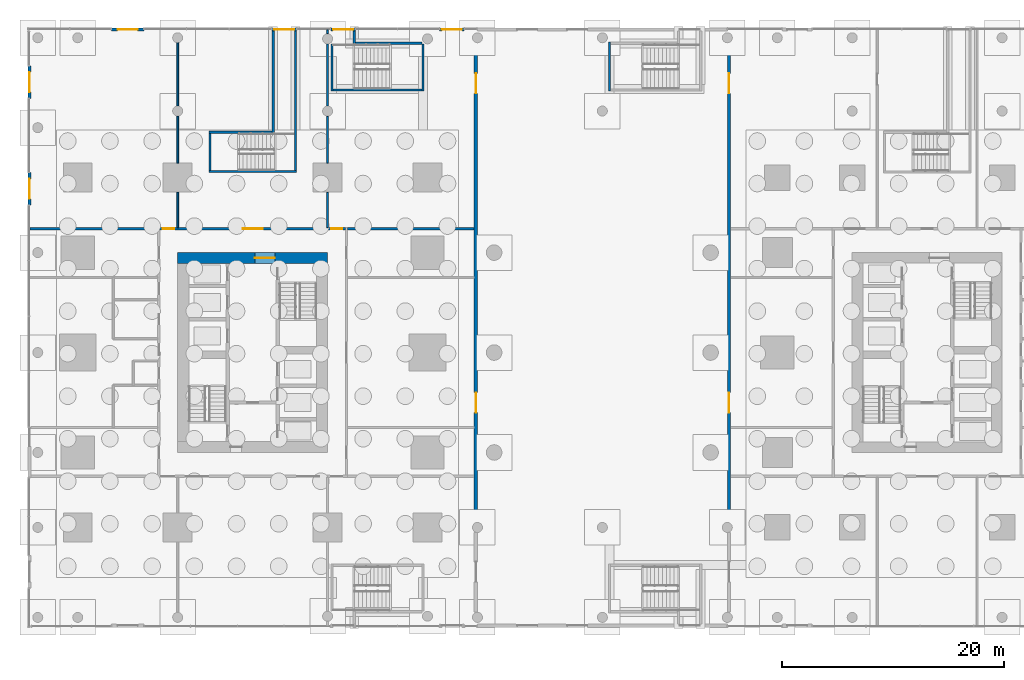
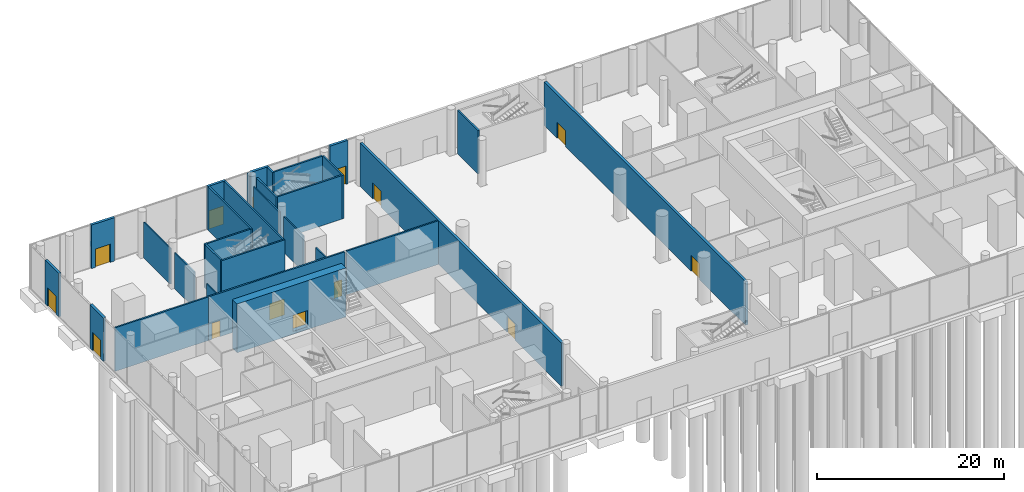
# One storey, part 20 of 31: 30 walls, 14 doors, 14 openings.
"""IFC4 building model written with IfcOpenShell, lengths in metres."""

from ifc_helpers import new_model, si_unit, direction, frame, frame_2d, origin, place, context, subcontext, project, spatial, rectangle, extrude, material, layer, layer_set, type_object, element, fill, save


model = new_model("IFC4")

# Units and contexts
model_context = context("Model", 3, precision=1e-05, world=origin(), true_north=direction((0.0, 1.0)))
body_context = subcontext(model_context, "Body", "Model", "MODEL_VIEW")
ifc_project = project(units=[si_unit("LENGTHUNIT", "METRE"), si_unit("AREAUNIT", "SQUARE_METRE"), si_unit("VOLUMEUNIT", "CUBIC_METRE"), si_unit("PLANEANGLEUNIT", "RADIAN"), si_unit("MASSUNIT", "GRAM", prefix="KILO")], contexts=[model_context])

# Site, building, storey
site_placement = place(None, origin())
site = spatial("IfcSite", under=ifc_project, at=site_placement, CompositionType="ELEMENT")
building_placement = place(site_placement, origin())
building = spatial("IfcBuilding", under=site, at=building_placement, Name="Namib Vertical Campus", CompositionType="ELEMENT")
storey_placement = place(building_placement, origin())
storey = spatial("IfcBuildingStorey", under=building, at=storey_placement, Name="L00", CompositionType="ELEMENT", Elevation=0.0)

# Wall, opening, door
ifc_material_1 = material(Name="Concrete C60/75", Category="concrete")
ifc_layer_1 = layer(ifc_material_1, 1.0)
ifc_layer_set_1 = layer_set([ifc_layer_1], Name="Concrete C60/75")
wall_type_1 = type_object("IfcWallType", Name="Core wall 1000", PredefinedType="SHEAR", material=ifc_layer_set_1)
wall_1_placement = place(storey_placement, frame((27.0, 28.75, -0.39990234375), z_axis=(0.0, 0.0, 1.0), x_axis=(-1.0, 0.0, 0.0)))
wall_1 = element("IfcWall", 1, at=wall_1_placement, inside=storey, type_object=wall_type_1, Name="Core wall A L00 3", PredefinedType="SHEAR", context=body_context, shape_type="SweptSolid", body=[
    extrude(rectangle(XDim=13.5, YDim=1.0, at=frame_2d((6.75, 0.0))), origin(), (0.0, 0.0, 1.0), 6.39990234375),
])
opening_1_placement = place(wall_1_placement, frame((4.75, 0.0, 0.39990234375)))
opening_1 = element("IfcOpeningElement", 2, at=opening_1_placement, cuts=wall_1, Name="Opening FD2", PredefinedType="OPENING", context=body_context, shape_type="SweptSolid", body=[
    extrude(rectangle(XDim=1.800048828125, YDim=2.10009765625, at=frame_2d((0.89990234375, 1.050048828125))), frame((0.0, 0.510009765625, 0.0), z_axis=(0.0, -1.0, 0.0), x_axis=(1.0, 0.0, 0.0)), (0.0, 0.0, 1.0), 1.02001953125),
])
ifc_material_2 = material(Name="Steel fire door", Category="steel")
door_type_1 = type_object("IfcDoorType", Name="Fire door double 1800x2100", OperationType="DOUBLE_DOOR_SINGLE_SWING", PredefinedType="DOOR", material=ifc_material_2)
door_1_placement = place(opening_1_placement, frame((1.800048828125, 0.0, 0.0), z_axis=(0.0, 0.0, 1.0), x_axis=(-1.0, 0.0, 0.0)))
door_1 = element("IfcDoor", 3, at=door_1_placement, inside=storey, type_object=door_type_1, Name="Lift lobby door FD2 A L00", OperationType="DOUBLE_DOOR_SINGLE_SWING", OverallHeight=2.10009765625, OverallWidth=1.800048828125, PredefinedType="DOOR", context=body_context, shape_type="SweptSolid", body=[
    extrude(rectangle(XDim=1.800048828125, YDim=2.10009765625, at=frame_2d((0.89990234375, 1.050048828125))), frame((0.0, 0.02490234375, 0.0), z_axis=(0.0, -1.0, 0.0), x_axis=(1.0, 0.0, 0.0)), (0.0, 0.0, 1.0), 0.050048828125),
])
fill(opening_1, door_1)

# Wall, openings, doors
ifc_material_3 = material(Name="Concrete masonry", Category="masonry")
ifc_layer_2 = layer(ifc_material_3, 0.199951171875)
ifc_layer_set_2 = layer_set([ifc_layer_2], Name="Corridor wall 200")
wall_type_2 = type_object("IfcWallType", Name="Corridor wall 200", PredefinedType="SOLIDWALL", material=ifc_layer_set_2)
wall_2_placement = place(storey_placement, frame((28.60009765625, 31.39990234375, 0.0), z_axis=(0.0, 0.0, 1.0), x_axis=(-1.0, 0.0, 0.0)))
wall_2 = element("IfcWall", 4, at=wall_2_placement, inside=storey, type_object=wall_type_2, Name="Corridor wall A L00 CN", PredefinedType="SOLIDWALL", context=body_context, shape_type="SweptSolid", body=[
    extrude(rectangle(XDim=16.900146484375, YDim=0.199951171875, at=frame_2d((8.4501953125, 0.0))), origin(), (0.0, 0.0, 1.0), 5.699951171875),
])
opening_2_placement = place(wall_2_placement, frame((15.425048828125, 0.0, 0.0)))
opening_2 = element("IfcOpeningElement", 5, at=opening_2_placement, cuts=wall_2, Name="Opening CD1", PredefinedType="OPENING", context=body_context, shape_type="SweptSolid", body=[
    extrude(rectangle(XDim=1.0, YDim=2.10009765625, at=frame_2d((0.5, 1.050048828125))), frame((0.0, 0.10986328125, 0.0), z_axis=(0.0, -1.0, 0.0), x_axis=(1.0, 0.0, 0.0)), (0.0, 0.0, 1.0), 0.219970703125),
])
opening_3_placement = place(wall_2_placement, frame((7.449951171875, 0.0, 0.0)))
opening_3 = element("IfcOpeningElement", 6, at=opening_3_placement, cuts=wall_2, Name="Opening CD2", PredefinedType="OPENING", context=body_context, shape_type="SweptSolid", body=[
    extrude(rectangle(XDim=1.800048828125, YDim=2.10009765625, at=frame_2d((0.89990234375, 1.050048828125))), frame((0.0, 0.10986328125, 0.0), z_axis=(0.0, -1.0, 0.0), x_axis=(1.0, 0.0, 0.0)), (0.0, 0.0, 1.0), 0.219970703125),
])
opening_4_placement = place(wall_2_placement, frame((0.27490234375, 0.0, 0.0)))
opening_4 = element("IfcOpeningElement", 7, at=opening_4_placement, cuts=wall_2, Name="Opening CD1", PredefinedType="OPENING", context=body_context, shape_type="SweptSolid", body=[
    extrude(rectangle(XDim=1.0, YDim=2.10009765625, at=frame_2d((0.5, 1.050048828125))), frame((0.0, 0.10986328125, 0.0), z_axis=(0.0, -1.0, 0.0), x_axis=(1.0, 0.0, 0.0)), (0.0, 0.0, 1.0), 0.219970703125),
])
ifc_material_4 = material(Name="Timber fire door leaf", Category="wood")
door_type_2 = type_object("IfcDoorType", Name="Corridor door 1000x2100 20 min", OperationType="SINGLE_SWING_LEFT", PredefinedType="DOOR", material=ifc_material_4)
door_2_placement = place(opening_2_placement, origin())
door_2 = element("IfcDoor", 8, at=door_2_placement, inside=storey, type_object=door_type_2, Name="Door CD1 A00-07", OperationType="SINGLE_SWING_LEFT", OverallHeight=2.10009765625, OverallWidth=1.0, PredefinedType="DOOR", context=body_context, shape_type="SweptSolid", body=[
    extrude(rectangle(XDim=1.0, YDim=2.10009765625, at=frame_2d((0.5, 1.050048828125))), frame((0.0, 0.02490234375, 0.0), z_axis=(0.0, -1.0, 0.0), x_axis=(1.0, 0.0, 0.0)), (0.0, 0.0, 1.0), 0.050048828125),
])
fill(opening_2, door_2)
door_3_placement = place(opening_4_placement, frame((1.0, 0.0, 0.0), z_axis=(0.0, 0.0, 1.0), x_axis=(-1.0, 0.0, 0.0)))
door_3 = element("IfcDoor", 9, at=door_3_placement, inside=storey, type_object=door_type_2, Name="Door CD1 A00-09", OperationType="SINGLE_SWING_LEFT", OverallHeight=2.10009765625, OverallWidth=1.0, PredefinedType="DOOR", context=body_context, shape_type="SweptSolid", body=[
    extrude(rectangle(XDim=1.0, YDim=2.10009765625, at=frame_2d((0.5, 1.050048828125))), frame((0.0, 0.02490234375, 0.0), z_axis=(0.0, -1.0, 0.0), x_axis=(1.0, 0.0, 0.0)), (0.0, 0.0, 1.0), 0.050048828125),
])
fill(opening_4, door_3)
ifc_material_5 = material(Name="Timber fire door leaf", Category="wood")
door_type_3 = type_object("IfcDoorType", Name="Corridor door double 1800x2100 20 min", OperationType="DOUBLE_DOOR_SINGLE_SWING", PredefinedType="DOOR", material=ifc_material_5)
door_4_placement = place(opening_3_placement, frame((1.800048828125, 0.0, 0.0), z_axis=(0.0, 0.0, 1.0), x_axis=(-1.0, 0.0, 0.0)))
door_4 = element("IfcDoor", 10, at=door_4_placement, inside=storey, type_object=door_type_3, Name="Door CD2 A00-08", OperationType="DOUBLE_DOOR_SINGLE_SWING", OverallHeight=2.10009765625, OverallWidth=1.800048828125, PredefinedType="DOOR", context=body_context, shape_type="SweptSolid", body=[
    extrude(rectangle(XDim=1.800048828125, YDim=2.10009765625, at=frame_2d((0.89990234375, 1.050048828125))), frame((0.0, 0.02490234375, 0.0), z_axis=(0.0, -1.0, 0.0), x_axis=(1.0, 0.0, 0.0)), (0.0, 0.0, 1.0), 0.050048828125),
])
fill(opening_3, door_4)

# Walls
wall_3_placement = place(storey_placement, frame((0.179931640625, 31.39990234375, 0.0), z_axis=(0.0, 0.0, 1.0), x_axis=(1.0, 0.0, 0.0)))
element("IfcWall", 11, at=wall_3_placement, inside=storey, type_object=wall_type_2, Name="Partition A L00 BNW", PredefinedType="SOLIDWALL", context=body_context, shape_type="SweptSolid", body=[
    extrude(rectangle(XDim=11.52001953125, YDim=0.199951171875, at=frame_2d((5.760009765625, 0.0))), origin(), (0.0, 0.0, 1.0), 5.699951171875),
])
wall_4_placement = place(storey_placement, frame((28.800048828125, 31.39990234375, 0.0), z_axis=(0.0, 0.0, 1.0), x_axis=(1.0, 0.0, 0.0)))
element("IfcWall", 12, at=wall_4_placement, inside=storey, type_object=wall_type_2, Name="Partition A L00 BNE", PredefinedType="SOLIDWALL", context=body_context, shape_type="SweptSolid", body=[
    extrude(rectangle(XDim=11.39990234375, YDim=0.199951171875, at=frame_2d((5.699951171875, 0.0))), origin(), (0.0, 0.0, 1.0), 5.699951171875),
])

# Wall, opening, door
ifc_material_6 = material(Name="Concrete C40/50", Category="concrete")
ifc_layer_3 = layer(ifc_material_6, 0.300048828125)
ifc_layer_set_3 = layer_set([ifc_layer_3], Name="Concrete C40/50")
wall_type_3 = type_object("IfcWallType", Name="External wall 300 board-marked concrete", PredefinedType="STANDARD", material=ifc_layer_set_3)
wall_5_placement = place(storey_placement, frame((10.449951171875, 49.35009765625, 0.0), z_axis=(0.0, 0.0, 1.0), x_axis=(-1.0, 0.0, 0.0)))
wall_5 = element("IfcWall", 13, at=wall_5_placement, inside=storey, type_object=wall_type_3, Name="External wall L00 entrance 2", PredefinedType="STANDARD", context=body_context, shape_type="SweptSolid", body=[
    extrude(rectangle(XDim=2.89990234375, YDim=0.300048828125, at=frame_2d((1.449951171875, 0.0))), origin(), (0.0, 0.0, 1.0), 5.699951171875),
])
opening_5_placement = place(wall_5_placement, frame((0.550048828125, 0.0, 0.0)))
opening_5 = element("IfcOpeningElement", 14, at=opening_5_placement, cuts=wall_5, Name="Opening ED1", PredefinedType="OPENING", context=body_context, shape_type="SweptSolid", body=[
    extrude(rectangle(XDim=1.800048828125, YDim=2.39990234375, at=frame_2d((0.89990234375, 1.199951171875))), frame((0.0, 0.159912109375, 0.0), z_axis=(0.0, -1.0, 0.0), x_axis=(1.0, 0.0, 0.0)), (0.0, 0.0, 1.0), 0.320068359375),
])
ifc_material_7 = material(Name="Black aluminium glazed door", Category="aluminium")
door_type_4 = type_object("IfcDoorType", Name="Entrance door pair 1800x2400", OperationType="DOUBLE_DOOR_SINGLE_SWING", PredefinedType="DOOR", material=ifc_material_7)
door_5_placement = place(opening_5_placement, frame((1.800048828125, 0.0, 0.0), z_axis=(0.0, 0.0, 1.0), x_axis=(-1.0, 0.0, 0.0)))
door_5 = element("IfcDoor", 15, at=door_5_placement, inside=storey, type_object=door_type_4, Name="Exit door ED1 Cafe A00-07 north", OperationType="DOUBLE_DOOR_SINGLE_SWING", OverallHeight=2.39990234375, OverallWidth=1.800048828125, PredefinedType="DOOR", context=body_context, shape_type="SweptSolid", body=[
    extrude(rectangle(XDim=1.800048828125, YDim=2.39990234375, at=frame_2d((0.89990234375, 1.199951171875))), frame((0.0, 0.02490234375, 0.0), z_axis=(0.0, -1.0, 0.0), x_axis=(1.0, 0.0, 0.0)), (0.0, 0.0, 1.0), 0.050048828125),
])
fill(opening_5, door_5)

wall_6_placement = place(storey_placement, frame((24.199951171875, 49.35009765625, 0.0), z_axis=(0.0, 0.0, 1.0), x_axis=(-1.0, 0.0, 0.0)))
wall_6 = element("IfcWall", 16, at=wall_6_placement, inside=storey, type_object=wall_type_3, Name="External wall L00 entrance 4", PredefinedType="STANDARD", context=body_context, shape_type="SweptSolid", body=[
    extrude(rectangle(XDim=2.199951171875, YDim=0.300048828125, at=frame_2d((1.10009765625, 0.0))), origin(), (0.0, 0.0, 1.0), 5.699951171875),
])
opening_6_placement = place(wall_6_placement, frame((0.199951171875, 0.0, 0.0)))
opening_6 = element("IfcOpeningElement", 17, at=opening_6_placement, cuts=wall_6, Name="Opening ED1", PredefinedType="OPENING", context=body_context, shape_type="SweptSolid", body=[
    extrude(rectangle(XDim=1.800048828125, YDim=2.39990234375, at=frame_2d((0.89990234375, 1.199951171875))), frame((0.0, 0.159912109375, 0.0), z_axis=(0.0, -1.0, 0.0), x_axis=(1.0, 0.0, 0.0)), (0.0, 0.0, 1.0), 0.320068359375),
])
door_6_placement = place(opening_6_placement, frame((1.800048828125, 0.0, 0.0), z_axis=(0.0, 0.0, 1.0), x_axis=(-1.0, 0.0, 0.0)))
door_6 = element("IfcDoor", 18, at=door_6_placement, inside=storey, type_object=door_type_4, Name="Stair exit door ED1 A-S3", OperationType="DOUBLE_DOOR_SINGLE_SWING", OverallHeight=2.39990234375, OverallWidth=1.800048828125, PredefinedType="DOOR", context=body_context, shape_type="SweptSolid", body=[
    extrude(rectangle(XDim=1.800048828125, YDim=2.39990234375, at=frame_2d((0.89990234375, 1.199951171875))), frame((0.0, 0.02490234375, 0.0), z_axis=(0.0, -1.0, 0.0), x_axis=(1.0, 0.0, 0.0)), (0.0, 0.0, 1.0), 0.050048828125),
])
fill(opening_6, door_6)

wall_7_placement = place(storey_placement, frame((29.5, 49.35009765625, 0.0), z_axis=(0.0, 0.0, 1.0), x_axis=(-1.0, 0.0, 0.0)))
wall_7 = element("IfcWall", 19, at=wall_7_placement, inside=storey, type_object=wall_type_3, Name="External wall L00 entrance 6", PredefinedType="STANDARD", context=body_context, shape_type="SweptSolid", body=[
    extrude(rectangle(XDim=2.199951171875, YDim=0.300048828125, at=frame_2d((1.10009765625, 0.0))), origin(), (0.0, 0.0, 1.0), 5.699951171875),
])
opening_7_placement = place(wall_7_placement, frame((0.199951171875, 0.0, 0.0)))
opening_7 = element("IfcOpeningElement", 20, at=opening_7_placement, cuts=wall_7, Name="Opening ED1", PredefinedType="OPENING", context=body_context, shape_type="SweptSolid", body=[
    extrude(rectangle(XDim=1.800048828125, YDim=2.39990234375, at=frame_2d((0.89990234375, 1.199951171875))), frame((0.0, 0.159912109375, 0.0), z_axis=(0.0, -1.0, 0.0), x_axis=(1.0, 0.0, 0.0)), (0.0, 0.0, 1.0), 0.320068359375),
])
door_7_placement = place(opening_7_placement, frame((1.800048828125, 0.0, 0.0), z_axis=(0.0, 0.0, 1.0), x_axis=(-1.0, 0.0, 0.0)))
door_7 = element("IfcDoor", 21, at=door_7_placement, inside=storey, type_object=door_type_4, Name="Stair exit door ED1 P-S1", OperationType="DOUBLE_DOOR_SINGLE_SWING", OverallHeight=2.39990234375, OverallWidth=1.800048828125, PredefinedType="DOOR", context=body_context, shape_type="SweptSolid", body=[
    extrude(rectangle(XDim=1.800048828125, YDim=2.39990234375, at=frame_2d((0.89990234375, 1.199951171875))), frame((0.0, 0.02490234375, 0.0), z_axis=(0.0, -1.0, 0.0), x_axis=(1.0, 0.0, 0.0)), (0.0, 0.0, 1.0), 0.050048828125),
])
fill(opening_7, door_7)

wall_8_placement = place(storey_placement, frame((39.300048828125, 49.35009765625, 0.0), z_axis=(0.0, 0.0, 1.0), x_axis=(-1.0, 0.0, 0.0)))
wall_8 = element("IfcWall", 22, at=wall_8_placement, inside=storey, type_object=wall_type_3, Name="External wall L00 entrance 8", PredefinedType="STANDARD", context=body_context, shape_type="SweptSolid", body=[
    extrude(rectangle(XDim=2.199951171875, YDim=0.300048828125, at=frame_2d((1.10009765625, 0.0))), origin(), (0.0, 0.0, 1.0), 5.699951171875),
])
opening_8_placement = place(wall_8_placement, frame((0.199951171875, 0.0, 0.0)))
opening_8 = element("IfcOpeningElement", 23, at=opening_8_placement, cuts=wall_8, Name="Opening ED1", PredefinedType="OPENING", context=body_context, shape_type="SweptSolid", body=[
    extrude(rectangle(XDim=1.800048828125, YDim=2.39990234375, at=frame_2d((0.89990234375, 1.199951171875))), frame((0.0, 0.159912109375, 0.0), z_axis=(0.0, -1.0, 0.0), x_axis=(1.0, 0.0, 0.0)), (0.0, 0.0, 1.0), 0.320068359375),
])
door_8_placement = place(opening_8_placement, frame((1.800048828125, 0.0, 0.0), z_axis=(0.0, 0.0, 1.0), x_axis=(-1.0, 0.0, 0.0)))
door_8 = element("IfcDoor", 24, at=door_8_placement, inside=storey, type_object=door_type_4, Name="Entrance door ED1 8-1", OperationType="DOUBLE_DOOR_SINGLE_SWING", OverallHeight=2.39990234375, OverallWidth=1.800048828125, PredefinedType="DOOR", context=body_context, shape_type="SweptSolid", body=[
    extrude(rectangle(XDim=1.800048828125, YDim=2.39990234375, at=frame_2d((0.89990234375, 1.199951171875))), frame((0.0, 0.02490234375, 0.0), z_axis=(0.0, -1.0, 0.0), x_axis=(1.0, 0.0, 0.0)), (0.0, 0.0, 1.0), 0.050048828125),
])
fill(opening_8, door_8)

wall_9_placement = place(storey_placement, frame((0.14990234375, 36.449951171875, 0.0), z_axis=(0.0, 0.0, 1.0), x_axis=(0.0, -1.0, 0.0)))
wall_9 = element("IfcWall", 25, at=wall_9_placement, inside=storey, type_object=wall_type_3, Name="External wall L00 entrance 6", PredefinedType="STANDARD", context=body_context, shape_type="SweptSolid", body=[
    extrude(rectangle(XDim=2.89990234375, YDim=0.300048828125, at=frame_2d((1.449951171875, 0.0))), origin(), (0.0, 0.0, 1.0), 5.699951171875),
])
opening_9_placement = place(wall_9_placement, frame((0.550048828125, 0.0, 0.0)))
opening_9 = element("IfcOpeningElement", 26, at=opening_9_placement, cuts=wall_9, Name="Opening ED1", PredefinedType="OPENING", context=body_context, shape_type="SweptSolid", body=[
    extrude(rectangle(XDim=1.800048828125, YDim=2.39990234375, at=frame_2d((0.89990234375, 1.199951171875))), frame((0.0, 0.159912109375, 0.0), z_axis=(0.0, -1.0, 0.0), x_axis=(1.0, 0.0, 0.0)), (0.0, 0.0, 1.0), 0.320068359375),
])
door_9_placement = place(opening_9_placement, frame((1.800048828125, 0.0, 0.0), z_axis=(0.0, 0.0, 1.0), x_axis=(-1.0, 0.0, 0.0)))
door_9 = element("IfcDoor", 27, at=door_9_placement, inside=storey, type_object=door_type_4, Name="Exit door ED1 Cafe A00-07 west", OperationType="DOUBLE_DOOR_SINGLE_SWING", OverallHeight=2.39990234375, OverallWidth=1.800048828125, PredefinedType="DOOR", context=body_context, shape_type="SweptSolid", body=[
    extrude(rectangle(XDim=1.800048828125, YDim=2.39990234375, at=frame_2d((0.89990234375, 1.199951171875))), frame((0.0, 0.02490234375, 0.0), z_axis=(0.0, -1.0, 0.0), x_axis=(1.0, 0.0, 0.0)), (0.0, 0.0, 1.0), 0.050048828125),
])
fill(opening_9, door_9)

wall_10_placement = place(storey_placement, frame((0.14990234375, 46.050048828125, 0.0), z_axis=(0.0, 0.0, 1.0), x_axis=(0.0, -1.0, 0.0)))
wall_10 = element("IfcWall", 28, at=wall_10_placement, inside=storey, type_object=wall_type_3, Name="External wall L00 entrance 8", PredefinedType="STANDARD", context=body_context, shape_type="SweptSolid", body=[
    extrude(rectangle(XDim=2.900146484375, YDim=0.300048828125, at=frame_2d((1.4501953125, 0.0))), origin(), (0.0, 0.0, 1.0), 5.699951171875),
])
opening_10_placement = place(wall_10_placement, frame((0.550048828125, 0.0, 0.0)))
opening_10 = element("IfcOpeningElement", 29, at=opening_10_placement, cuts=wall_10, Name="Opening ED1", PredefinedType="OPENING", context=body_context, shape_type="SweptSolid", body=[
    extrude(rectangle(XDim=1.800048828125, YDim=2.39990234375, at=frame_2d((0.89990234375, 1.199951171875))), frame((0.0, 0.159912109375, 0.0), z_axis=(0.0, -1.0, 0.0), x_axis=(1.0, 0.0, 0.0)), (0.0, 0.0, 1.0), 0.320068359375),
])
door_10_placement = place(opening_10_placement, frame((1.800048828125, 0.0, 0.0), z_axis=(0.0, 0.0, 1.0), x_axis=(-1.0, 0.0, 0.0)))
door_10 = element("IfcDoor", 30, at=door_10_placement, inside=storey, type_object=door_type_4, Name="Exit door ED1 Cafe A00-07 north-west", OperationType="DOUBLE_DOOR_SINGLE_SWING", OverallHeight=2.39990234375, OverallWidth=1.800048828125, PredefinedType="DOOR", context=body_context, shape_type="SweptSolid", body=[
    extrude(rectangle(XDim=1.800048828125, YDim=2.39990234375, at=frame_2d((0.89990234375, 1.199951171875))), frame((0.0, 0.02490234375, 0.0), z_axis=(0.0, -1.0, 0.0), x_axis=(1.0, 0.0, 0.0)), (0.0, 0.0, 1.0), 0.050048828125),
])
fill(opening_10, door_10)

# Wall, openings, doors
ifc_material_8 = material(Name="Concrete masonry", Category="masonry")
ifc_layer_4 = layer(ifc_material_8, 0.300048828125)
ifc_layer_set_4 = layer_set([ifc_layer_4], Name="Fire wall 300")
wall_type_4 = type_object("IfcWallType", Name="Fire wall 300", PredefinedType="SOLIDWALL", material=ifc_layer_set_4)
wall_11_placement = place(storey_placement, frame((40.35009765625, 4.969970703125, 0.0), z_axis=(0.0, 0.0, 1.0), x_axis=(0.0, 1.0, 0.0)))
wall_11 = element("IfcWall", 31, at=wall_11_placement, inside=storey, type_object=wall_type_4, Name="Fire wall A L00", PredefinedType="SOLIDWALL", context=body_context, shape_type="SweptSolid", body=[
    extrude(rectangle(XDim=43.159912109375, YDim=0.300048828125, at=frame_2d((21.580078125, 0.0))), origin(), (0.0, 0.0, 1.0), 5.699951171875),
])
opening_11_placement = place(wall_11_placement, frame((9.8798828125, 0.0, 0.0)))
opening_11 = element("IfcOpeningElement", 32, at=opening_11_placement, cuts=wall_11, Name="Opening FD2", PredefinedType="OPENING", context=body_context, shape_type="SweptSolid", body=[
    extrude(rectangle(XDim=1.800048828125, YDim=2.10009765625, at=frame_2d((0.89990234375, 1.050048828125))), frame((0.0, 0.159912109375, 0.0), z_axis=(0.0, -1.0, 0.0), x_axis=(1.0, 0.0, 0.0)), (0.0, 0.0, 1.0), 0.320068359375),
])
opening_12_placement = place(wall_11_placement, frame((38.6298828125, 0.0, 0.0)))
opening_12 = element("IfcOpeningElement", 33, at=opening_12_placement, cuts=wall_11, Name="Opening FD2", PredefinedType="OPENING", context=body_context, shape_type="SweptSolid", body=[
    extrude(rectangle(XDim=1.800048828125, YDim=2.10009765625, at=frame_2d((0.89990234375, 1.050048828125))), frame((0.0, 0.159912109375, 0.0), z_axis=(0.0, -1.0, 0.0), x_axis=(1.0, 0.0, 0.0)), (0.0, 0.0, 1.0), 0.320068359375),
])
door_11_placement = place(opening_11_placement, frame((1.800048828125, 0.0, 0.0), z_axis=(0.0, 0.0, 1.0), x_axis=(-1.0, 0.0, 0.0)))
door_11 = element("IfcDoor", 34, at=door_11_placement, inside=storey, type_object=door_type_1, Name="Door FD2 middle A L00 2", OperationType="DOUBLE_DOOR_SINGLE_SWING", OverallHeight=2.10009765625, OverallWidth=1.800048828125, PredefinedType="DOOR", context=body_context, shape_type="SweptSolid", body=[
    extrude(rectangle(XDim=1.800048828125, YDim=2.10009765625, at=frame_2d((0.89990234375, 1.050048828125))), frame((0.0, 0.02490234375, 0.0), z_axis=(0.0, -1.0, 0.0), x_axis=(1.0, 0.0, 0.0)), (0.0, 0.0, 1.0), 0.050048828125),
])
fill(opening_11, door_11)
door_12_placement = place(opening_12_placement, origin())
door_12 = element("IfcDoor", 35, at=door_12_placement, inside=storey, type_object=door_type_1, Name="Door FD2 middle A L00 3", OperationType="DOUBLE_DOOR_SINGLE_SWING", OverallHeight=2.10009765625, OverallWidth=1.800048828125, PredefinedType="DOOR", context=body_context, shape_type="SweptSolid", body=[
    extrude(rectangle(XDim=1.800048828125, YDim=2.10009765625, at=frame_2d((0.89990234375, 1.050048828125))), frame((0.0, 0.02490234375, 0.0), z_axis=(0.0, -1.0, 0.0), x_axis=(1.0, 0.0, 0.0)), (0.0, 0.0, 1.0), 0.050048828125),
])
fill(opening_12, door_12)

wall_12_placement = place(storey_placement, frame((63.14990234375, 4.969970703125, 0.0), z_axis=(0.0, 0.0, 1.0), x_axis=(0.0, 1.0, 0.0)))
wall_12 = element("IfcWall", 36, at=wall_12_placement, inside=storey, type_object=wall_type_4, Name="Fire wall B L00", PredefinedType="SOLIDWALL", context=body_context, shape_type="SweptSolid", body=[
    extrude(rectangle(XDim=43.159912109375, YDim=0.300048828125, at=frame_2d((21.580078125, 0.0))), origin(), (0.0, 0.0, 1.0), 5.699951171875),
])
opening_13_placement = place(wall_12_placement, frame((9.8798828125, 0.0, 0.0)))
opening_13 = element("IfcOpeningElement", 37, at=opening_13_placement, cuts=wall_12, Name="Opening FD2", PredefinedType="OPENING", context=body_context, shape_type="SweptSolid", body=[
    extrude(rectangle(XDim=1.800048828125, YDim=2.10009765625, at=frame_2d((0.89990234375, 1.050048828125))), frame((0.0, 0.159912109375, 0.0), z_axis=(0.0, -1.0, 0.0), x_axis=(1.0, 0.0, 0.0)), (0.0, 0.0, 1.0), 0.320068359375),
])
opening_14_placement = place(wall_12_placement, frame((38.6298828125, 0.0, 0.0)))
opening_14 = element("IfcOpeningElement", 38, at=opening_14_placement, cuts=wall_12, Name="Opening FD2", PredefinedType="OPENING", context=body_context, shape_type="SweptSolid", body=[
    extrude(rectangle(XDim=1.800048828125, YDim=2.10009765625, at=frame_2d((0.89990234375, 1.050048828125))), frame((0.0, 0.159912109375, 0.0), z_axis=(0.0, -1.0, 0.0), x_axis=(1.0, 0.0, 0.0)), (0.0, 0.0, 1.0), 0.320068359375),
])
door_13_placement = place(opening_13_placement, origin())
door_13 = element("IfcDoor", 39, at=door_13_placement, inside=storey, type_object=door_type_1, Name="Door FD2 middle B L00 2", OperationType="DOUBLE_DOOR_SINGLE_SWING", OverallHeight=2.10009765625, OverallWidth=1.800048828125, PredefinedType="DOOR", context=body_context, shape_type="SweptSolid", body=[
    extrude(rectangle(XDim=1.800048828125, YDim=2.10009765625, at=frame_2d((0.89990234375, 1.050048828125))), frame((0.0, 0.02490234375, 0.0), z_axis=(0.0, -1.0, 0.0), x_axis=(1.0, 0.0, 0.0)), (0.0, 0.0, 1.0), 0.050048828125),
])
fill(opening_13, door_13)
door_14_placement = place(opening_14_placement, frame((1.800048828125, 0.0, 0.0), z_axis=(0.0, 0.0, 1.0), x_axis=(-1.0, 0.0, 0.0)))
door_14 = element("IfcDoor", 40, at=door_14_placement, inside=storey, type_object=door_type_1, Name="Door FD2 middle B L00 3", OperationType="DOUBLE_DOOR_SINGLE_SWING", OverallHeight=2.10009765625, OverallWidth=1.800048828125, PredefinedType="DOOR", context=body_context, shape_type="SweptSolid", body=[
    extrude(rectangle(XDim=1.800048828125, YDim=2.10009765625, at=frame_2d((0.89990234375, 1.050048828125))), frame((0.0, 0.02490234375, 0.0), z_axis=(0.0, -1.0, 0.0), x_axis=(1.0, 0.0, 0.0)), (0.0, 0.0, 1.0), 0.050048828125),
])
fill(opening_14, door_14)

# Walls
ifc_material_9 = material(Name="Gypsum board on steel studs", Category="steel")
ifc_layer_5 = layer(ifc_material_9, 0.14990234375)
ifc_layer_set_5 = layer_set([ifc_layer_5], Name="Gypsum board on steel studs")
wall_type_5 = type_object("IfcWallType", Name="Partition 150", PredefinedType="PARTITIONING", material=ifc_layer_set_5)
wall_13_placement = place(storey_placement, frame((13.5, 31.5, 0.0), z_axis=(0.0, 0.0, 1.0), x_axis=(0.0, 1.0, 0.0)))
element("IfcWall", 41, at=wall_13_placement, inside=storey, type_object=wall_type_5, Name="Partition A L00 PN1", PredefinedType="PARTITIONING", context=body_context, shape_type="SweptSolid", body=[
    extrude(rectangle(XDim=3.179931640625, YDim=0.14990234375, at=frame_2d((1.58984375, 0.0))), origin(), (0.0, 0.0, 1.0), 4.800048828125),
])
wall_14_placement = place(storey_placement, frame((13.5, 37.320068359375, 0.0), z_axis=(0.0, 0.0, 1.0), x_axis=(0.0, 1.0, 0.0)))
element("IfcWall", 42, at=wall_14_placement, inside=storey, type_object=wall_type_5, Name="Partition A L00 PN1", PredefinedType="PARTITIONING", context=body_context, shape_type="SweptSolid", body=[
    extrude(rectangle(XDim=4.2099609375, YDim=0.14990234375, at=frame_2d((2.10498046875, 0.0))), origin(), (0.0, 0.0, 1.0), 4.699951171875),
])
wall_15_placement = place(storey_placement, frame((13.5, 42.469970703125, 0.0), z_axis=(0.0, 0.0, 1.0), x_axis=(0.0, 1.0, 0.0)))
element("IfcWall", 43, at=wall_15_placement, inside=storey, type_object=wall_type_5, Name="Partition A L00 PN1", PredefinedType="PARTITIONING", context=body_context, shape_type="SweptSolid", body=[
    extrude(rectangle(XDim=5.659912109375, YDim=0.14990234375, at=frame_2d((2.830078125, 0.0))), origin(), (0.0, 0.0, 1.0), 4.699951171875),
])
wall_16_placement = place(storey_placement, frame((27.0, 31.5, 0.0), z_axis=(0.0, 0.0, 1.0), x_axis=(0.0, 1.0, 0.0)))
element("IfcWall", 44, at=wall_16_placement, inside=storey, type_object=wall_type_5, Name="Partition A L00 PN2", PredefinedType="PARTITIONING", context=body_context, shape_type="SweptSolid", body=[
    extrude(rectangle(XDim=3.179931640625, YDim=0.14990234375, at=frame_2d((1.58984375, 0.0))), origin(), (0.0, 0.0, 1.0), 4.800048828125),
])
wall_17_placement = place(storey_placement, frame((27.0, 37.320068359375, 0.0), z_axis=(0.0, 0.0, 1.0), x_axis=(0.0, 1.0, 0.0)))
element("IfcWall", 45, at=wall_17_placement, inside=storey, type_object=wall_type_5, Name="Partition A L00 PN2", PredefinedType="PARTITIONING", context=body_context, shape_type="SweptSolid", body=[
    extrude(rectangle(XDim=4.2099609375, YDim=0.14990234375, at=frame_2d((2.10498046875, 0.0))), origin(), (0.0, 0.0, 1.0), 4.699951171875),
])
wall_18_placement = place(storey_placement, frame((27.0, 42.469970703125, 0.0), z_axis=(0.0, 0.0, 1.0), x_axis=(0.0, 1.0, 0.0)))
element("IfcWall", 46, at=wall_18_placement, inside=storey, type_object=wall_type_5, Name="Partition A L00 PN2", PredefinedType="PARTITIONING", context=body_context, shape_type="SweptSolid", body=[
    extrude(rectangle(XDim=5.56005859375, YDim=0.14990234375, at=frame_2d((2.780029296875, 0.0))), origin(), (0.0, 0.0, 1.0), 4.699951171875),
])
wall_19_placement = place(storey_placement, frame((27.0, 48.969970703125, 0.0), z_axis=(0.0, 0.0, 1.0), x_axis=(0.0, 1.0, 0.0)))
element("IfcWall", 47, at=wall_19_placement, inside=storey, type_object=wall_type_5, Name="Partition A L00 PN2", PredefinedType="PARTITIONING", context=body_context, shape_type="SweptSolid", body=[
    extrude(rectangle(XDim=0.35009765625, YDim=0.14990234375, at=frame_2d((0.175048828125, 0.0))), origin(), (0.0, 0.0, 1.0), 5.699951171875),
])
ifc_material_10 = material(Name="Concrete C40/50", Category="concrete")
ifc_layer_6 = layer(ifc_material_10, 0.199951171875)
ifc_layer_set_6 = layer_set([ifc_layer_6], Name="Concrete C40/50")
wall_type_6 = type_object("IfcWallType", Name="Stair enclosure wall RC 200", PredefinedType="SOLIDWALL", material=ifc_layer_set_6)
wall_20_placement = place(storey_placement, frame((27.5, 43.89990234375, 0.0), z_axis=(0.0, 0.0, 1.0), x_axis=(1.0, 0.0, 0.0)))
element("IfcWall", 48, at=wall_20_placement, inside=storey, type_object=wall_type_6, Name="Stair enclosure wall P-S1 L00 room side", PredefinedType="SOLIDWALL", context=body_context, shape_type="SweptSolid", body=[
    extrude(rectangle(XDim=8.0, YDim=0.199951171875, at=frame_2d((4.0, 0.0))), origin(), (0.0, 0.0, 1.0), 5.699951171875),
])
wall_21_placement = place(storey_placement, frame((29.5, 48.10009765625, 0.0), z_axis=(0.0, 0.0, 1.0), x_axis=(1.0, 0.0, 0.0)))
element("IfcWall", 49, at=wall_21_placement, inside=storey, type_object=wall_type_6, Name="Stair enclosure wall P-S1 L00 facade side", PredefinedType="SOLIDWALL", context=body_context, shape_type="SweptSolid", body=[
    extrude(rectangle(XDim=6.0, YDim=0.199951171875, at=frame_2d((3.0, 0.0))), origin(), (0.0, 0.0, 1.0), 5.699951171875),
])
wall_22_placement = place(storey_placement, frame((29.39990234375, 48.0, 0.0), z_axis=(0.0, 0.0, 1.0), x_axis=(0.0, 1.0, 0.0)))
element("IfcWall", 50, at=wall_22_placement, inside=storey, type_object=wall_type_6, Name="Stair enclosure wall P-S1 L00 exit vestibule", PredefinedType="SOLIDWALL", context=body_context, shape_type="SweptSolid", body=[
    extrude(rectangle(XDim=1.199951171875, YDim=0.199951171875, at=frame_2d((0.60009765625, 0.0))), origin(), (0.0, 0.0, 1.0), 5.699951171875),
])
for number, where, z_axis, x_axis, name in (
    (51, (27.39990234375, 43.800048828125, 0.0), (0.0, 0.0, 1.0), (0.0, 1.0, 0.0), "Stair enclosure wall P-S1 L00 W"),
    (52, (35.60009765625, 43.800048828125, 0.0), (0.0, 0.0, 1.0), (0.0, 1.0, 0.0), "Stair enclosure wall P-S1 L00 E"),
):
    element("IfcWall", number, at=place(storey_placement, frame(where, z_axis=z_axis, x_axis=x_axis)), inside=storey, type_object=wall_type_6, Name=name, PredefinedType="SOLIDWALL", context=body_context, shape_type="SweptSolid", body=[
        extrude(rectangle(XDim=4.22998046875, YDim=0.199951171875, at=frame_2d((2.114990234375, 0.0))), origin(), (0.0, 0.0, 1.0), 5.699951171875),
    ])
wall_23_placement = place(storey_placement, frame((52.39990234375, 43.800048828125, 0.0), z_axis=(0.0, 0.0, 1.0), x_axis=(0.0, 1.0, 0.0)))
element("IfcWall", 53, at=wall_23_placement, inside=storey, type_object=wall_type_6, Name="Stair enclosure wall P-S3 L00 W", PredefinedType="SOLIDWALL", context=body_context, shape_type="SweptSolid", body=[
    extrude(rectangle(XDim=4.39990234375, YDim=0.199951171875, at=frame_2d((2.199951171875, 0.0))), origin(), (0.0, 0.0, 1.0), 5.699951171875),
])
wall_24_placement = place(storey_placement, frame((16.300048828125, 36.550048828125, 0.0), z_axis=(0.0, 0.0, 1.0), x_axis=(1.0, 0.0, 0.0)))
element("IfcWall", 54, at=wall_24_placement, inside=storey, type_object=wall_type_6, Name="Stair enclosure wall A-S3 L00 S", PredefinedType="SOLIDWALL", context=body_context, shape_type="SweptSolid", body=[
    extrude(rectangle(XDim=7.89990234375, YDim=0.199951171875, at=frame_2d((3.949951171875, 0.0))), origin(), (0.0, 0.0, 1.0), 5.699951171875),
])
wall_25_placement = place(storey_placement, frame((16.300048828125, 40.10009765625, 0.0), z_axis=(0.0, 0.0, 1.0), x_axis=(1.0, 0.0, 0.0)))
element("IfcWall", 55, at=wall_25_placement, inside=storey, type_object=wall_type_6, Name="Stair enclosure wall A-S3 L00 N", PredefinedType="SOLIDWALL", context=body_context, shape_type="SweptSolid", body=[
    extrude(rectangle(XDim=5.699951171875, YDim=0.199951171875, at=frame_2d((2.85009765625, 0.0))), origin(), (0.0, 0.0, 1.0), 5.699951171875),
])
wall_26_placement = place(storey_placement, frame((16.39990234375, 36.64990234375, 0.0), z_axis=(0.0, 0.0, 1.0), x_axis=(0.0, 1.0, 0.0)))
element("IfcWall", 56, at=wall_26_placement, inside=storey, type_object=wall_type_6, Name="Stair enclosure wall A-S3 L00 W", PredefinedType="SOLIDWALL", context=body_context, shape_type="SweptSolid", body=[
    extrude(rectangle(XDim=3.35009765625, YDim=0.199951171875, at=frame_2d((1.675048828125, 0.0))), origin(), (0.0, 0.0, 1.0), 5.699951171875),
])
wall_27_placement = place(storey_placement, frame((24.10009765625, 36.64990234375, 0.0), z_axis=(0.0, 0.0, 1.0), x_axis=(0.0, 1.0, 0.0)))
element("IfcWall", 57, at=wall_27_placement, inside=storey, type_object=wall_type_6, Name="Stair enclosure wall A-S3 L00 E", PredefinedType="SOLIDWALL", context=body_context, shape_type="SweptSolid", body=[
    extrude(rectangle(XDim=12.550048828125, YDim=0.199951171875, at=frame_2d((6.27490234375, 0.0))), origin(), (0.0, 0.0, 1.0), 5.699951171875),
])
wall_28_placement = place(storey_placement, frame((22.10009765625, 40.0, 0.0), z_axis=(0.0, 0.0, 1.0), x_axis=(0.0, 1.0, 0.0)))
element("IfcWall", 58, at=wall_28_placement, inside=storey, type_object=wall_type_6, Name="Stair enclosure wall A-S3 L00 exit vestibule", PredefinedType="SOLIDWALL", context=body_context, shape_type="SweptSolid", body=[
    extrude(rectangle(XDim=9.199951171875, YDim=0.199951171875, at=frame_2d((4.60009765625, 0.0))), origin(), (0.0, 0.0, 1.0), 5.699951171875),
])

save(model, "model.ifc")
